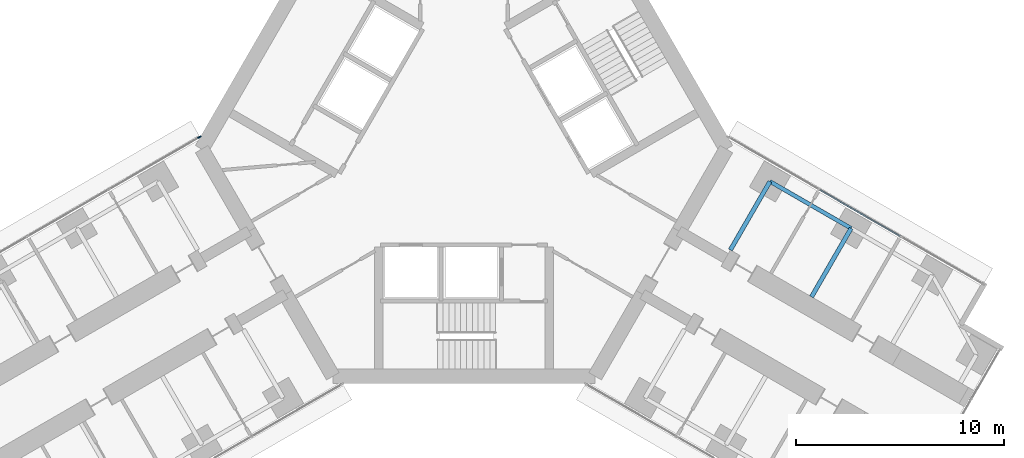
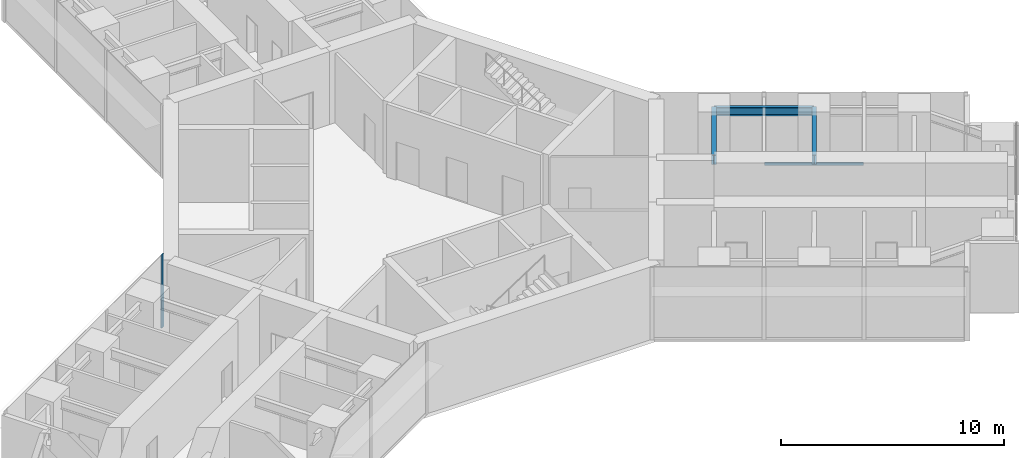
# One storey, part 10 of 24: 3 beams, 2 members, 2 elements without a shape of their own.
"""IFC4 building model written with IfcOpenShell, lengths in metres."""

from ifc_helpers import new_model, si_unit, direction, frame, origin, origin_2d, place, context, subcontext, project, spatial, rectangle, i_section, extrude, material, material_profile, profile_set, type_object, element, aggregate, save


model = new_model("IFC4")

# Units and contexts
model_context = context("Model", 3, precision=1e-05, world=origin(), true_north=direction((0.0, 1.0)))
body_context = subcontext(model_context, "Body", "Model", "MODEL_VIEW")
ifc_project = project(units=[si_unit("LENGTHUNIT", "METRE"), si_unit("AREAUNIT", "SQUARE_METRE"), si_unit("VOLUMEUNIT", "CUBIC_METRE"), si_unit("PLANEANGLEUNIT", "RADIAN"), si_unit("MASSUNIT", "GRAM", prefix="KILO")], contexts=[model_context])

# Site, building, storey
site_placement = place(None, origin())
site = spatial("IfcSite", under=ifc_project, at=site_placement, CompositionType="ELEMENT")
building_placement = place(site_placement, origin())
building = spatial("IfcBuilding", under=site, at=building_placement, Name="Upepo Twin Towers", CompositionType="ELEMENT")
storey_placement = place(building_placement, frame((0.0, 0.0, 64.5)))
storey = spatial("IfcBuildingStorey", under=building, at=storey_placement, Name="L15", CompositionType="ELEMENT", Elevation=64.5)

# Beams
ifc_material_1 = material(Name="Steel S355", Category="steel")
ifc_material_profile_1 = material_profile(ifc_material_1, i_section(OverallWidth=0.1904296875, OverallDepth=0.45703125, WebThickness=0.009033203125, FlangeThickness=0.014404296875, FilletRadius=0.01025390625, at=origin_2d()), Name="UB 457x191x74")
ifc_profile_set_1 = profile_set([ifc_material_profile_1], Name="Steel S355")
beam_type_1 = type_object("IfcBeamType", Name="Beam UB 457x191x74", PredefinedType="BEAM", material=ifc_profile_set_1)
beam_1_placement = place(storey_placement, frame((73.19140625, -19.553955078125, 3.571533203125), z_axis=(0.866017533419, -0.500013631625, 0.0), x_axis=(0.500013631625, 0.866017533419, 0.0)))
element("IfcBeam", 1, at=beam_1_placement, inside=storey, type_object=beam_type_1, Name="T2 edge beam CL 13.5-18.0", PredefinedType="BEAM", context=body_context, shape_type="SweptSolid", body=[
    extrude(i_section(OverallWidth=0.1904296875, OverallDepth=0.45703125, WebThickness=0.009033203125, FlangeThickness=0.014404296875, FilletRadius=0.01025390625, at=origin_2d()), origin(), (0.0, 0.0, 1.0), 4.499755859375),
])
ifc_material_2 = material(Name="Steel S355", Category="steel")
ifc_material_profile_2 = material_profile(ifc_material_2, i_section(OverallWidth=0.209228515625, OverallDepth=0.533203125, WebThickness=0.010009765625, FlangeThickness=0.015625, FilletRadius=0.0126953125, at=origin_2d()), Name="UB 533x210x92")
ifc_profile_set_2 = profile_set([ifc_material_profile_2], Name="Steel S355")
beam_type_2 = type_object("IfcBeamType", Name="Beam UB 533x210x92", PredefinedType="BEAM", material=ifc_profile_set_2)
beam_2_placement = place(storey_placement, frame((73.19140625, -19.553955078125, 3.533447265625), z_axis=(-0.500043160704, -0.866000483506, 0.0), x_axis=(0.866000483506, -0.500043160704, 0.0)))
element("IfcBeam", 2, at=beam_2_placement, inside=storey, type_object=beam_type_2, Name="T2 girder CL at 13.5", PredefinedType="BEAM", context=body_context, shape_type="SweptSolid", body=[
    extrude(i_section(OverallWidth=0.209228515625, OverallDepth=0.533203125, WebThickness=0.010009765625, FlangeThickness=0.015625, FilletRadius=0.0126953125, at=origin_2d()), origin(), (0.0, 0.0, 1.0), 3.800048828125),
])
beam_3_placement = place(storey_placement, frame((77.08837890625, -21.803955078125, 3.533447265625), z_axis=(-0.499994975061, -0.866028304915, 0.0), x_axis=(0.866028304915, -0.499994975061, 0.0)))
element("IfcBeam", 3, at=beam_3_placement, inside=storey, type_object=beam_type_2, Name="T2 girder CL at 18.0", PredefinedType="BEAM", context=body_context, shape_type="SweptSolid", body=[
    extrude(i_section(OverallWidth=0.209228515625, OverallDepth=0.533203125, WebThickness=0.010009765625, FlangeThickness=0.015625, FilletRadius=0.0126953125, at=origin_2d()), origin(), (0.0, 0.0, 1.0), 3.7998046875),
])

# Curtain wall, member
ifc_material_3 = material(Name="Aluminium and fritted glass", Category="aluminium")
curtain_wall_type = type_object("IfcCurtainWallType", Name="Tower curtain wall TW1, fritted glass", PredefinedType="NOTDEFINED", material=ifc_material_3)
curtain_wall_1_placement = place(storey_placement, origin())
curtain_wall_1 = element("IfcCurtainWall", 4, at=curtain_wall_1_placement, inside=storey, type_object=curtain_wall_type, Name="T2 L15 wing B flank R curtain wall", PredefinedType="NOTDEFINED")
ifc_material_4 = material(Name="Aluminium mullion", Category="aluminium")
ifc_material_profile_3 = material_profile(ifc_material_4, rectangle(XDim=0.06494140625, YDim=0.179931640625, at=origin_2d()), Name="MULLION 65x180")
ifc_profile_set_3 = profile_set([ifc_material_profile_3], Name="Aluminium mullion")
member_type_1 = type_object("IfcMemberType", Name="Mullion 65x180 TW1", PredefinedType="MULLION", material=ifc_profile_set_3)
member_1_placement = place(storey_placement, frame((45.79150390625, -17.427490234375, 0.0), z_axis=(0.0, 0.0, 1.0), x_axis=(-0.500000024426, 0.866025389682, 0.0)))
member_1 = element("IfcMember", 5, at=member_1_placement, type_object=member_type_1, Name="T2 L15 wing B flank R curtain wall mullion 4", PredefinedType="MULLION", context=body_context, shape_type="SweptSolid", body=[
    extrude(rectangle(XDim=0.06494140625, YDim=0.179931640625, at=origin_2d()), origin(), (0.0, 0.0, 1.0), 4.0),
])
aggregate(curtain_wall_1, [member_1])

curtain_wall_2_placement = place(storey_placement, origin())
curtain_wall_2 = element("IfcCurtainWall", 6, at=curtain_wall_2_placement, inside=storey, type_object=curtain_wall_type, Name="T2 L15 wing C flank L curtain wall", PredefinedType="NOTDEFINED")
ifc_material_5 = material(Name="Aluminium transom", Category="aluminium")
ifc_material_profile_4 = material_profile(ifc_material_5, rectangle(XDim=0.06494140625, YDim=0.14990234375, at=origin_2d()), Name="TRANSOM 65x150")
ifc_profile_set_4 = profile_set([ifc_material_profile_4], Name="Aluminium transom")
member_type_2 = type_object("IfcMemberType", Name="Transom 65x150 TW1", PredefinedType="USERDEFINED", material=ifc_profile_set_4)
member_2_placement = place(storey_placement, frame((75.593017578125, -19.958984375, 0.074951171875), z_axis=(0.866022410713, -0.500005184116, 0.0), x_axis=(0.500005184116, 0.866022410713, 0.0)))
member_2 = element("IfcMember", 7, at=member_2_placement, type_object=member_type_2, Name="T2 L15 wing C flank L curtain wall transom 2", ObjectType="TRANSOM", PredefinedType="USERDEFINED", context=body_context, shape_type="SweptSolid", body=[
    extrude(rectangle(XDim=0.06494140625, YDim=0.14990234375, at=origin_2d()), origin(), (0.0, 0.0, 1.0), 4.43505859375),
])
aggregate(curtain_wall_2, [member_2])

save(model, "model.ifc")
